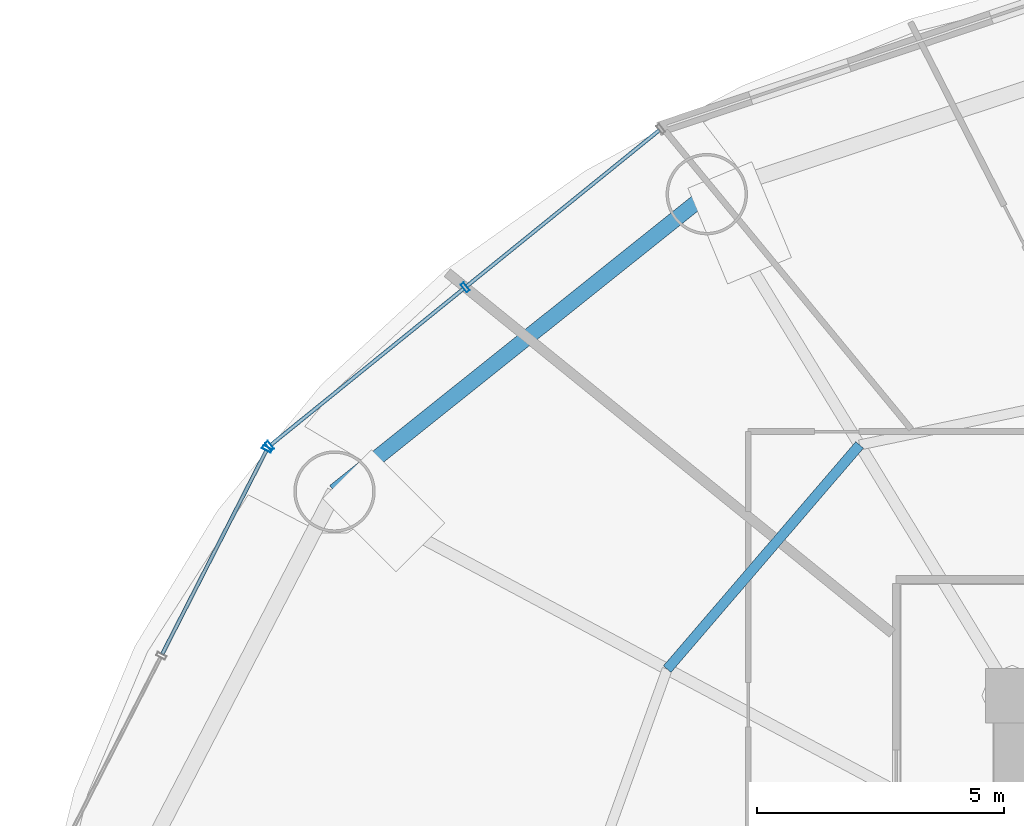
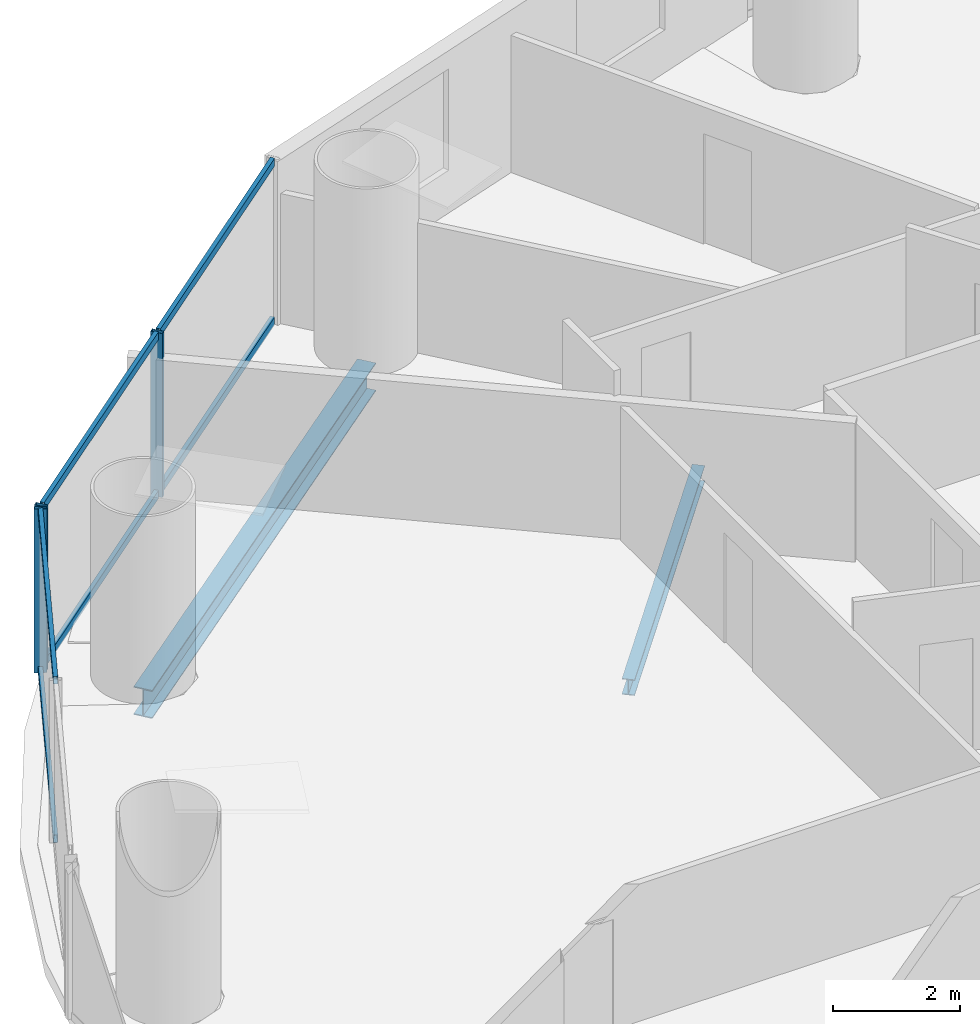
# One storey, part 15 of 29: 9 members, 2 beams, 2 elements without a shape of their own.
"""IFC4 building model written with IfcOpenShell, lengths in metres."""

from ifc_helpers import new_model, si_unit, direction, frame, origin, origin_2d, place, context, subcontext, project, spatial, hollow_rectangle, i_section, extrude, source, transform, mapped, material, material_profile, profile_set, type_object, element, aggregate, save


model = new_model("IFC4")

# Units and contexts
model_context = context("Model", 3, precision=1e-05, world=origin(), true_north=direction((-0.2419218956, 0.970295726276)))
body_context = subcontext(model_context, "Body", "Model", "MODEL_VIEW")
ifc_project = project(units=[si_unit("LENGTHUNIT", "METRE"), si_unit("AREAUNIT", "SQUARE_METRE"), si_unit("VOLUMEUNIT", "CUBIC_METRE"), si_unit("PLANEANGLEUNIT", "RADIAN"), si_unit("MASSUNIT", "GRAM", prefix="KILO")], contexts=[model_context])

# Site, building, storey
site_placement = place(None, origin())
site = spatial("IfcSite", under=ifc_project, at=site_placement, CompositionType="ELEMENT")
building_placement = place(site_placement, origin())
building = spatial("IfcBuilding", under=site, at=building_placement, Name="Cobrevalo Terracotta Tower", CompositionType="ELEMENT")
storey_placement = place(building_placement, frame((0.0, 0.0, 70.800048828125)))
storey = spatial("IfcBuildingStorey", under=building, at=storey_placement, Name="L18", CompositionType="ELEMENT", Elevation=70.800048828125)

# Beams
ifc_material_1 = material(Name="Steel S355", Category="steel")
ifc_material_profile_1 = material_profile(ifc_material_1, i_section(OverallWidth=0.2041015625, OverallDepth=0.305908203125, WebThickness=0.008544921875, FlangeThickness=0.0146484375, at=origin_2d()), Name="W 310x67")
ifc_profile_set_1 = profile_set([ifc_material_profile_1], Name="Steel S355")
beam_type_1 = type_object("IfcBeamType", Name="Structural Joist W 310x67 (Steel S355)", PredefinedType="JOIST", material=ifc_profile_set_1)
beam_1_placement = place(storey_placement, frame((25.902587890625, 39.8837890625, -0.43310546875), z_axis=(-0.651328404454, -0.758795960421, 0.0), x_axis=(0.758795960421, -0.651328404454, 0.0)))
element("IfcBeam", 1, at=beam_1_placement, inside=storey, type_object=beam_type_1, Name="L18 circumferential secondary floor joist 06", PredefinedType="JOIST", context=body_context, shape_type="SweptSolid", body=[
    extrude(i_section(OverallWidth=0.2041015625, OverallDepth=0.305908203125, WebThickness=0.008544921875, FlangeThickness=0.0146484375, at=origin_2d()), origin(), (0.0, 0.0, 1.0), 5.98828125),
])
ifc_material_profile_2 = material_profile(ifc_material_1, i_section(OverallWidth=0.31201171875, OverallDepth=0.54296875, WebThickness=0.0126953125, FlangeThickness=0.020263671875, at=origin_2d()), Name="W 530x150")
ifc_profile_set_2 = profile_set([ifc_material_profile_2], Name="Steel S355")
beam_type_2 = type_object("IfcBeamType", Name="Structural Spandrel W 530x150 (Steel S355)", PredefinedType="SPANDREL", material=ifc_profile_set_2)
beam_2_placement = place(storey_placement, frame((22.80517578125, 44.967529296875, -0.551513671875), z_axis=(-0.781292806807, -0.62416468182, 0.0), x_axis=(0.62416468182, -0.781292806807, 0.0)))
element("IfcBeam", 2, at=beam_2_placement, inside=storey, type_object=beam_type_2, Name="L18 perimeter ring spandrel 06", PredefinedType="SPANDREL", context=body_context, shape_type="SweptSolid", body=[
    extrude(i_section(OverallWidth=0.31201171875, OverallDepth=0.54296875, WebThickness=0.0126953125, FlangeThickness=0.020263671875, at=origin_2d()), origin(), (0.0, 0.0, 1.0), 9.658203125),
])

# Curtain wall, members
ifc_material_2 = material(Name="Anodized aluminium", Category="aluminium")
curtain_wall_type = type_object("IfcCurtainWallType", Name="Lower-tower unitised acoustic low-E curtain wall CW-U1", PredefinedType="NOTDEFINED", material=ifc_material_2)
curtain_wall_1_placement = place(storey_placement, origin())
curtain_wall_1 = element("IfcCurtainWall", 3, at=curtain_wall_1_placement, inside=storey, type_object=curtain_wall_type, Name="L18 curtain wall CW-L18-S06", PredefinedType="NOTDEFINED")
ifc_material_profile_3 = material_profile(ifc_material_2, hollow_rectangle(XDim=0.074951171875, YDim=0.14990234375, WallThickness=0.00439453125, at=origin_2d()), Name="CWT 75x150")
ifc_profile_set_3 = profile_set([ifc_material_profile_3], Name="Anodized aluminium")
member_type_1 = type_object("IfcMemberType", Name="Tower unitised aluminium transom 75x150", PredefinedType="USERDEFINED", material=ifc_profile_set_3)
shared_shape_1 = source(origin(), body_context, "Body", "SweptSolid", [
    extrude(hollow_rectangle(XDim=0.074951171875, YDim=0.14990234375, WallThickness=0.00439453125, at=origin_2d()), origin(), (0.0, 0.0, 1.0), 5.0234375),
])
member_1_placement = place(storey_placement, frame((21.843017578125, 46.26416015625, 0.050048828125), z_axis=(-0.777022991593, -0.629472215857, 0.0), x_axis=(0.629472215857, -0.777022991593, 0.0)))
member_1 = element("IfcMember", 4, at=member_1_placement, type_object=member_type_1, Name="CW-L18-S06 transom B01-T1", ObjectType="TRANSOM", PredefinedType="USERDEFINED", context=body_context, shape_type="MappedRepresentation", body=[
    mapped(shared_shape_1, transform((0.0, 0.0, 0.0), scale=1.0)),
])
member_2_placement = place(storey_placement, frame((21.843017578125, 46.26416015625, 3.099853515625), z_axis=(-0.777022991593, -0.629472215857, 0.0), x_axis=(0.629472215857, -0.777022991593, 0.0)))
member_2 = element("IfcMember", 5, at=member_2_placement, type_object=member_type_1, Name="CW-L18-S06 transom B01-T2", ObjectType="TRANSOM", PredefinedType="USERDEFINED", context=body_context, shape_type="MappedRepresentation", body=[
    mapped(shared_shape_1, transform((0.0, 0.0, 0.0), scale=1.0)),
])
member_3_placement = place(storey_placement, frame((17.877685546875, 43.0517578125, 0.050048828125), z_axis=(-0.777022991593, -0.629472215857, 0.0), x_axis=(0.629472215857, -0.777022991593, 0.0)))
member_3 = element("IfcMember", 6, at=member_3_placement, type_object=member_type_1, Name="CW-L18-S06 transom B02-T1", ObjectType="TRANSOM", PredefinedType="USERDEFINED", context=body_context, shape_type="MappedRepresentation", body=[
    mapped(shared_shape_1, transform((0.0, 0.0, 0.0), scale=1.0)),
])
member_4_placement = place(storey_placement, frame((17.877685546875, 43.0517578125, 3.099853515625), z_axis=(-0.777022991593, -0.629472215857, 0.0), x_axis=(0.629472215857, -0.777022991593, 0.0)))
member_4 = element("IfcMember", 7, at=member_4_placement, type_object=member_type_1, Name="CW-L18-S06 transom B02-T2", ObjectType="TRANSOM", PredefinedType="USERDEFINED", context=body_context, shape_type="MappedRepresentation", body=[
    mapped(shared_shape_1, transform((0.0, 0.0, 0.0), scale=1.0)),
])

curtain_wall_2_placement = place(storey_placement, origin())
curtain_wall_2 = element("IfcCurtainWall", 8, at=curtain_wall_2_placement, inside=storey, type_object=curtain_wall_type, Name="L18 curtain wall CW-L18-S07", PredefinedType="NOTDEFINED")
shared_shape_2 = source(origin(), body_context, "Body", "SweptSolid", [
    extrude(hollow_rectangle(XDim=0.074951171875, YDim=0.14990234375, WallThickness=0.00439453125, at=origin_2d()), origin(), (0.0, 0.0, 1.0), 4.63134765625),
])
member_5_placement = place(storey_placement, frame((13.8759765625, 39.76806640625, 0.050048828125), z_axis=(-0.455250376494, -0.890363462133, 0.0), x_axis=(0.890363462133, -0.455250376494, 0.0)))
member_5 = element("IfcMember", 9, at=member_5_placement, type_object=member_type_1, Name="CW-L18-S07 transom B01-T1", ObjectType="TRANSOM", PredefinedType="USERDEFINED", context=body_context, shape_type="MappedRepresentation", body=[
    mapped(shared_shape_2, transform((0.0, 0.0, 0.0), scale=1.0)),
])
member_6_placement = place(storey_placement, frame((13.8759765625, 39.76806640625, 3.099853515625), z_axis=(-0.455250376494, -0.890363462133, 0.0), x_axis=(0.890363462133, -0.455250376494, 0.0)))
member_6 = element("IfcMember", 10, at=member_6_placement, type_object=member_type_1, Name="CW-L18-S07 transom B01-T2", ObjectType="TRANSOM", PredefinedType="USERDEFINED", context=body_context, shape_type="MappedRepresentation", body=[
    mapped(shared_shape_2, transform((0.0, 0.0, 0.0), scale=1.0)),
])

# Member
ifc_material_profile_4 = material_profile(ifc_material_2, hollow_rectangle(XDim=0.074951171875, YDim=0.199951171875, WallThickness=0.0048828125, at=origin_2d()), Name="CWM 75x200")
ifc_profile_set_4 = profile_set([ifc_material_profile_4], Name="Anodized aluminium")
member_type_2 = type_object("IfcMemberType", Name="Lower/mid tower unitised mullion 75x200", PredefinedType="MULLION", material=ifc_profile_set_4)
shared_shape_3 = source(origin(), body_context, "Body", "SweptSolid", [
    extrude(hollow_rectangle(XDim=0.074951171875, YDim=0.199951171875, WallThickness=0.0048828125, at=origin_2d()), origin(), (0.0, 0.0, 1.0), 3.14990234375),
])
member_7_placement = place(storey_placement, frame((17.90869140625, 43.076904296875, 0.0), z_axis=(0.0, 0.0, 1.0), x_axis=(-0.777003153187, -0.629496703675, 0.0)))
member_7 = element("IfcMember", 11, at=member_7_placement, type_object=member_type_2, Name="CW-L18-S06 vertical mullion 02", PredefinedType="MULLION", context=body_context, shape_type="MappedRepresentation", body=[
    mapped(shared_shape_3, transform((0.0, 0.0, 0.0), scale=1.0)),
])

member_8_placement = place(storey_placement, frame((13.943359375, 39.864501953125, 0.0), z_axis=(0.0, 0.0, 1.0), x_axis=(-0.777003153187, -0.629496703675, 0.0)))
member_8 = element("IfcMember", 12, at=member_8_placement, type_object=member_type_2, Name="CW-L18-S06 vertical mullion 03", PredefinedType="MULLION", context=body_context, shape_type="MappedRepresentation", body=[
    mapped(shared_shape_3, transform((0.0, 0.0, 0.0), scale=1.0)),
])

aggregate(curtain_wall_1, [member_7, member_8, member_1, member_2, member_3, member_4])

member_9_placement = place(storey_placement, frame((13.89404296875, 39.8037109375, 0.0), z_axis=(0.0, 0.0, 1.0), x_axis=(-0.455234136597, -0.890371765543, 0.0)))
member_9 = element("IfcMember", 13, at=member_9_placement, type_object=member_type_2, Name="CW-L18-S07 vertical mullion 01", PredefinedType="MULLION", context=body_context, shape_type="MappedRepresentation", body=[
    mapped(shared_shape_3, transform((0.0, 0.0, 0.0), scale=1.0)),
])

aggregate(curtain_wall_2, [member_9, member_5, member_6])

save(model, "model.ifc")
